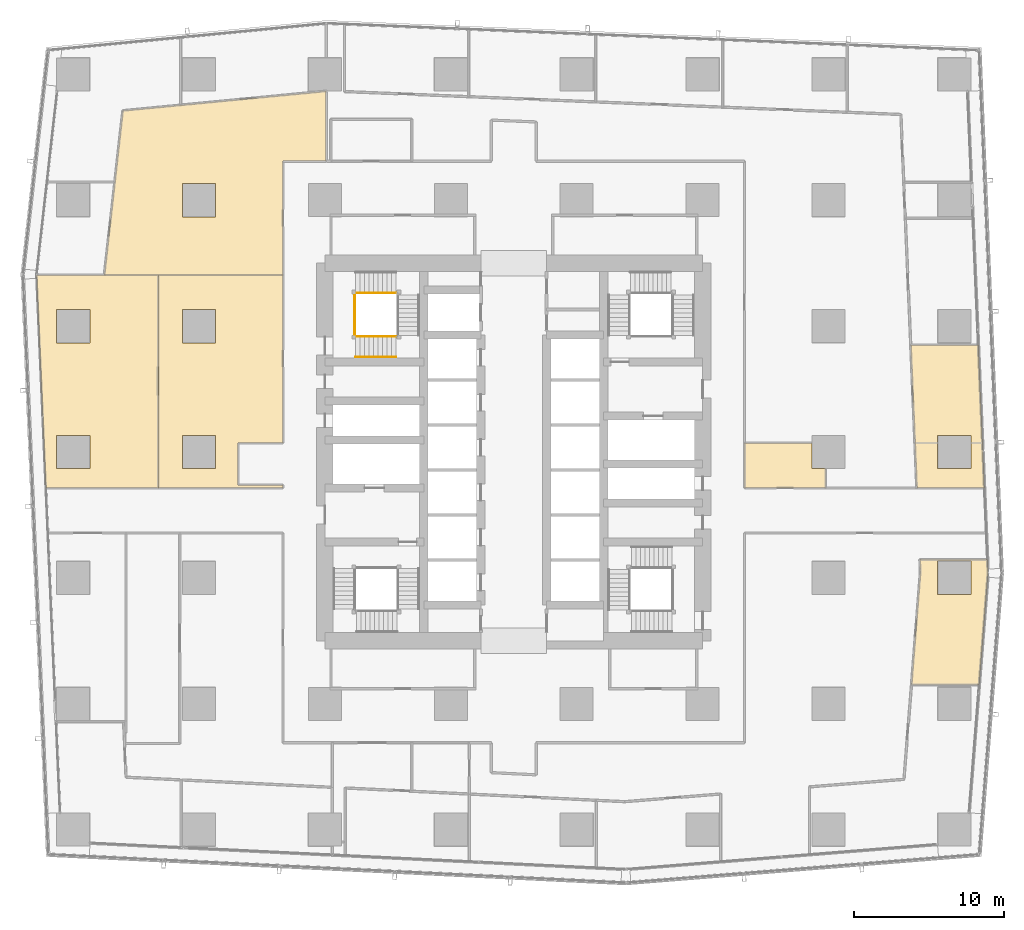
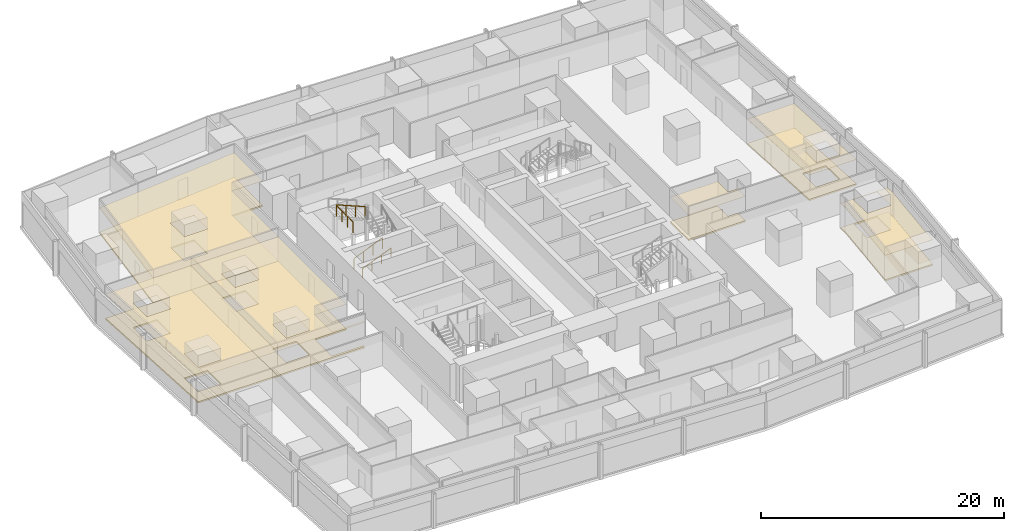
# One storey, part 41 of 45: 12 coverings, 4 railings.
"""IFC4 building model written with IfcOpenShell, lengths in metres."""

from ifc_helpers import new_model, si_unit, direction, frame, origin, origin_2d, place, context, subcontext, project, spatial, polyline, circle, outline, extrude, material, layer, layer_set, type_object, element, save


model = new_model("IFC4")

# Units and contexts
model_context = context("Model", 3, precision=1e-05, world=origin(), true_north=direction((0.0, 1.0)))
body_context = subcontext(model_context, "Body", "Model", "MODEL_VIEW")
ifc_project = project(units=[si_unit("LENGTHUNIT", "METRE"), si_unit("AREAUNIT", "SQUARE_METRE"), si_unit("VOLUMEUNIT", "CUBIC_METRE"), si_unit("PLANEANGLEUNIT", "RADIAN"), si_unit("MASSUNIT", "GRAM", prefix="KILO")], contexts=[model_context])

# Site, building, storey
site_placement = place(None, origin())
site = spatial("IfcSite", under=ifc_project, at=site_placement, CompositionType="ELEMENT")
building_placement = place(site_placement, origin())
building = spatial("IfcBuilding", under=site, at=building_placement, Name="Rekha Terrace Tower", CompositionType="ELEMENT")
storey_placement = place(building_placement, frame((0.0, 0.0, 36.64990234375)))
storey = spatial("IfcBuildingStorey", under=building, at=storey_placement, Name="L08", CompositionType="ELEMENT", Elevation=36.64990234375)

# Coverings
ifc_material_1 = material(Name="Mineral fibre tile in exposed grid", Category="finish")
ifc_layer_1 = layer(ifc_material_1, 0.02001953125)
ifc_layer_set_1 = layer_set([ifc_layer_1], Name="Mineral fibre tile in exposed grid")
covering_type_1 = type_object("IfcCoveringType", Name="CL1 600x1200 office grid ceiling", PredefinedType="CEILING", material=ifc_layer_set_1)
covering_1_placement = place(storey_placement, frame((0.0, 0.0, 2.580078125)))
element("IfcCovering", 1, at=covering_1_placement, inside=storey, type_object=covering_type_1, Name="Ceiling L08-05", PredefinedType="CEILING", context=body_context, shape_type="SweptSolid", body=[
    extrude(outline(polyline([(64.929931640625, 25.60107421875), (64.333984375, 18.080078125), (68.847900390625, 18.080078125), (69.43798828125, 25.51904296875), (69.39892578125, 26.419921875), (64.89501953125, 26.419921875), (64.929931640625, 25.60107421875)]), holes=[polyline([(68.31494140625, 24.0849609375), (66.0849609375, 24.0849609375), (66.0849609375, 26.31494140625), (68.31494140625, 26.31494140625), (68.31494140625, 24.0849609375)])]), origin(), (0.0, 0.0, 1.0), 0.02001953125),
])
covering_2_placement = place(storey_placement, frame((0.0, 0.0, 2.580078125)))
element("IfcCovering", 2, at=covering_2_placement, inside=storey, type_object=covering_type_1, Name="Ceiling L08-09", PredefinedType="CEILING", context=body_context, shape_type="SweptSolid", body=[
    extrude(outline(polyline([(53.199951171875, 31.199951171875), (58.60009765625, 31.199951171875), (58.60009765625, 32.485107421875), (57.68505859375, 32.485107421875), (57.68505859375, 34.199951171875), (53.199951171875, 34.199951171875), (53.199951171875, 31.199951171875)])), origin(), (0.0, 0.0, 1.0), 0.02001953125),
])
covering_3_placement = place(storey_placement, frame((0.0, 0.0, 2.580078125)))
element("IfcCovering", 3, at=covering_3_placement, inside=storey, type_object=covering_type_1, Name="Ceiling L08-10", PredefinedType="CEILING", context=body_context, shape_type="SweptSolid", body=[
    extrude(outline(polyline([(69.06689453125, 34.201904296875), (68.7880859375, 40.735107421875), (64.283935546875, 40.735107421875), (64.56298828125, 34.199951171875), (64.69091796875, 31.199951171875), (69.195068359375, 31.199951171875), (69.06689453125, 34.201904296875)]), holes=[polyline([(68.31494140625, 32.485107421875), (66.0849609375, 32.485107421875), (66.0849609375, 34.715087890625), (68.31494140625, 34.715087890625), (68.31494140625, 32.485107421875)])]), origin(), (0.0, 0.0, 1.0), 0.02001953125),
])
covering_4_placement = place(storey_placement, frame((0.0, 0.0, 2.580078125)))
element("IfcCovering", 4, at=covering_4_placement, inside=storey, type_object=covering_type_1, Name="Ceiling L08-O4", PredefinedType="CEILING", context=body_context, shape_type="SweptSolid", body=[
    extrude(outline(polyline([(11.718994140625, 56.37109375), (11.18505859375, 51.617919921875), (10.488037109375, 45.412109375), (22.39990234375, 45.412109375), (22.39990234375, 53.0), (25.2900390625, 53.0), (25.2900390625, 57.676025390625), (15.572021484375, 56.741943359375), (15.572021484375, 56.740966796875), (11.718994140625, 56.37109375)]), holes=[polyline([(17.9150390625, 49.284912109375), (15.68505859375, 49.284912109375), (15.68505859375, 51.514892578125), (17.9150390625, 51.514892578125), (17.9150390625, 49.284912109375)])]), origin(), (0.0, 0.0, 1.0), 0.02001953125),
])
covering_5_placement = place(storey_placement, frame((0.0, 0.0, 2.580078125)))
element("IfcCovering", 5, at=covering_5_placement, inside=storey, type_object=covering_type_1, Name="Ceiling L08-21", PredefinedType="CEILING", context=body_context, shape_type="SweptSolid", body=[
    extrude(outline(polyline([(14.090087890625, 31.199951171875), (14.090087890625, 45.410888671875), (5.964111328125, 45.410888671875), (6.5849609375, 31.219970703125), (6.5859375, 31.199951171875), (14.090087890625, 31.199951171875)]), holes=[polyline([(9.514892578125, 32.485107421875), (7.284912109375, 32.485107421875), (7.284912109375, 34.715087890625), (9.514892578125, 34.715087890625), (9.514892578125, 32.485107421875)]), polyline([(9.514892578125, 40.885009765625), (7.284912109375, 40.885009765625), (7.284912109375, 43.114990234375), (9.514892578125, 43.114990234375), (9.514892578125, 40.885009765625)])]), origin(), (0.0, 0.0, 1.0), 0.02001953125),
])
covering_6_placement = place(storey_placement, frame((0.0, 0.0, 2.580078125)))
element("IfcCovering", 6, at=covering_6_placement, inside=storey, type_object=covering_type_1, Name="Ceiling L08-O5", PredefinedType="CEILING", context=body_context, shape_type="SweptSolid", body=[
    extrude(outline(polyline([(14.090087890625, 31.199951171875), (22.39990234375, 31.199951171875), (22.39990234375, 31.39990234375), (19.39990234375, 31.39990234375), (19.39990234375, 34.199951171875), (22.39990234375, 34.199951171875), (22.39990234375, 45.410888671875), (14.090087890625, 45.410888671875), (14.090087890625, 31.199951171875)]), holes=[polyline([(17.9150390625, 32.485107421875), (15.68505859375, 32.485107421875), (15.68505859375, 34.715087890625), (17.9150390625, 34.715087890625), (17.9150390625, 32.485107421875)]), polyline([(17.9150390625, 40.885009765625), (15.68505859375, 40.885009765625), (15.68505859375, 43.114990234375), (17.9150390625, 43.114990234375), (17.9150390625, 40.885009765625)])]), origin(), (0.0, 0.0, 1.0), 0.02001953125),
])

# Railings
ifc_material_2 = material(Name="Stainless steel balustrade", Category="steel")
railing_type_1 = type_object("IfcRailingType", Name="GR1 1100 stair guard", PredefinedType="GUARDRAIL", material=ifc_material_2)
railing_1_placement = place(storey_placement, frame((27.25, 41.31494140625, 0.125)))
element("IfcRailing", 7, at=railing_1_placement, inside=storey, type_object=railing_type_1, Name="Guard ST4 L08 flight 1", PredefinedType="GUARDRAIL", context=body_context, shape_type="SweptSolid", body=[
    extrude(circle(Radius=0.02392578125, at=origin_2d()), frame((0.0, 0.0, 1.076171875), z_axis=(0.923074453586, 0.0, 0.384621311341), x_axis=(0.0, 1.0, 0.0)), (0.0, 0.0, 1.0), 2.925048828125),
    extrude(circle(Radius=0.02099609375, at=origin_2d()), origin(), (0.0, 0.0, 1.0), 1.052001953125),
    extrude(circle(Radius=0.02099609375, at=origin_2d()), frame((0.89990234375, 0.0, 0.375)), (0.0, 0.0, 1.0), 1.052001953125),
    extrude(circle(Radius=0.02099609375, at=origin_2d()), frame((1.800048828125, 0.0, 0.75)), (0.0, 0.0, 1.0), 1.052001953125),
    extrude(circle(Radius=0.02099609375, at=origin_2d()), frame((2.699951171875, 0.0, 1.125)), (0.0, 0.0, 1.0), 1.052001953125),
])
railing_2_placement = place(storey_placement, frame((29.949951171875, 44.2099609375, 2.625)))
element("IfcRailing", 8, at=railing_2_placement, inside=storey, type_object=railing_type_1, Name="Guard ST4 L08 flight 3", PredefinedType="GUARDRAIL", context=body_context, shape_type="SweptSolid", body=[
    extrude(circle(Radius=0.02392578125, at=origin_2d()), frame((0.0, 0.0, 1.076171875), z_axis=(-0.923074453586, 0.0, 0.384621311341), x_axis=(0.0, -1.0, 0.0)), (0.0, 0.0, 1.0), 2.925048828125),
    extrude(circle(Radius=0.02099609375, at=origin_2d()), origin(), (0.0, 0.0, 1.0), 1.052001953125),
    extrude(circle(Radius=0.02099609375, at=origin_2d()), frame((-0.89990234375, 0.0, 0.375)), (0.0, 0.0, 1.0), 1.052001953125),
    extrude(circle(Radius=0.02099609375, at=origin_2d()), frame((-1.800048828125, 0.0, 0.75)), (0.0, 0.0, 1.0), 1.052001953125),
    extrude(circle(Radius=0.02099609375, at=origin_2d()), frame((-2.699951171875, 0.0, 1.125)), (0.0, 0.0, 1.0), 1.052001953125),
])
railing_3_placement = place(storey_placement, frame((27.18994140625, 41.375, 3.75)))
element("IfcRailing", 9, at=railing_3_placement, inside=storey, type_object=railing_type_1, Name="Guard ST4 L08 landing 4", PredefinedType="GUARDRAIL", context=body_context, shape_type="SweptSolid", body=[
    extrude(circle(Radius=0.02392578125, at=origin_2d()), frame((0.0, 0.0, 1.076171875), z_axis=(0.0, 1.0, 0.0), x_axis=(-1.0, 0.0, 0.0)), (0.0, 0.0, 1.0), 2.77490234375),
    extrude(circle(Radius=0.02099609375, at=origin_2d()), origin(), (0.0, 0.0, 1.0), 1.052001953125),
    extrude(circle(Radius=0.02099609375, at=origin_2d()), frame((0.0, 0.925048828125, 0.0)), (0.0, 0.0, 1.0), 1.052001953125),
    extrude(circle(Radius=0.02099609375, at=origin_2d()), frame((0.0, 1.849853515625, 0.0)), (0.0, 0.0, 1.0), 1.052001953125),
    extrude(circle(Radius=0.02099609375, at=origin_2d()), frame((0.0, 2.77490234375, 0.0)), (0.0, 0.0, 1.0), 1.052001953125),
])
ifc_material_3 = material(Name="Stainless steel tube", Category="steel")
railing_type_2 = type_object("IfcRailingType", Name="HR1 900 stair handrail", PredefinedType="HANDRAIL", material=ifc_material_3)
railing_4_placement = place(storey_placement, frame((27.25, 39.93505859375, 0.125)))
element("IfcRailing", 10, at=railing_4_placement, inside=storey, type_object=railing_type_2, Name="Handrail ST4 L08 flight 1", PredefinedType="HANDRAIL", context=body_context, shape_type="SweptSolid", body=[
    extrude(circle(Radius=0.02392578125, at=origin_2d()), frame((0.0, 0.0, 0.8759765625), z_axis=(0.923074453586, 0.0, 0.384621311341), x_axis=(0.0, 1.0, 0.0)), (0.0, 0.0, 1.0), 2.925048828125),
    extrude(circle(Radius=0.02099609375, at=origin_2d()), origin(), (0.0, 0.0, 1.0), 0.851806640625),
    extrude(circle(Radius=0.02099609375, at=origin_2d()), frame((0.89990234375, 0.0, 0.375)), (0.0, 0.0, 1.0), 0.851806640625),
    extrude(circle(Radius=0.02099609375, at=origin_2d()), frame((1.800048828125, 0.0, 0.75)), (0.0, 0.0, 1.0), 0.851806640625),
    extrude(circle(Radius=0.02099609375, at=origin_2d()), frame((2.699951171875, 0.0, 1.125)), (0.0, 0.0, 1.0), 0.851806640625),
])

# Coverings
ifc_material_4 = material(Name="Calcium sulphate panels on steel pedestals", Category="steel")
ifc_layer_2 = layer(ifc_material_4, 0.14990234375)
ifc_layer_set_2 = layer_set([ifc_layer_2], Name="Calcium sulphate panels on steel pedestals")
covering_type_2 = type_object("IfcCoveringType", Name="RF1 150 raised access floor", PredefinedType="FLOORING", material=ifc_layer_set_2)
covering_7_placement = place(storey_placement, origin())
element("IfcCovering", 11, at=covering_7_placement, inside=storey, type_object=covering_type_2, Name="Raised floor L08-05", PredefinedType="FLOORING", context=body_context, shape_type="SweptSolid", body=[
    extrude(outline(polyline([(64.929931640625, 25.60107421875), (64.333984375, 18.080078125), (68.847900390625, 18.080078125), (69.43798828125, 25.51904296875), (69.39892578125, 26.419921875), (64.89501953125, 26.419921875), (64.929931640625, 25.60107421875)]), holes=[polyline([(68.31494140625, 24.0849609375), (66.0849609375, 24.0849609375), (66.0849609375, 26.31494140625), (68.31494140625, 26.31494140625), (68.31494140625, 24.0849609375)])]), origin(), (0.0, 0.0, 1.0), 0.150146484375),
])
covering_8_placement = place(storey_placement, origin())
element("IfcCovering", 12, at=covering_8_placement, inside=storey, type_object=covering_type_2, Name="Raised floor L08-09", PredefinedType="FLOORING", context=body_context, shape_type="SweptSolid", body=[
    extrude(outline(polyline([(53.199951171875, 31.199951171875), (58.60009765625, 31.199951171875), (58.60009765625, 32.485107421875), (57.68505859375, 32.485107421875), (57.68505859375, 34.199951171875), (53.199951171875, 34.199951171875), (53.199951171875, 31.199951171875)])), origin(), (0.0, 0.0, 1.0), 0.150146484375),
])
covering_9_placement = place(storey_placement, origin())
element("IfcCovering", 13, at=covering_9_placement, inside=storey, type_object=covering_type_2, Name="Raised floor L08-10", PredefinedType="FLOORING", context=body_context, shape_type="SweptSolid", body=[
    extrude(outline(polyline([(69.06689453125, 34.201904296875), (68.7880859375, 40.735107421875), (64.283935546875, 40.735107421875), (64.56298828125, 34.199951171875), (64.69091796875, 31.199951171875), (69.195068359375, 31.199951171875), (69.06689453125, 34.201904296875)]), holes=[polyline([(68.31494140625, 32.485107421875), (66.0849609375, 32.485107421875), (66.0849609375, 34.715087890625), (68.31494140625, 34.715087890625), (68.31494140625, 32.485107421875)])]), origin(), (0.0, 0.0, 1.0), 0.150146484375),
])
covering_10_placement = place(storey_placement, origin())
element("IfcCovering", 14, at=covering_10_placement, inside=storey, type_object=covering_type_2, Name="Raised floor L08-O4", PredefinedType="FLOORING", context=body_context, shape_type="SweptSolid", body=[
    extrude(outline(polyline([(11.718994140625, 56.37109375), (11.18505859375, 51.617919921875), (10.488037109375, 45.412109375), (22.39990234375, 45.412109375), (22.39990234375, 53.0), (25.2900390625, 53.0), (25.2900390625, 57.676025390625), (15.572021484375, 56.741943359375), (15.572021484375, 56.740966796875), (11.718994140625, 56.37109375)]), holes=[polyline([(17.9150390625, 49.284912109375), (15.68505859375, 49.284912109375), (15.68505859375, 51.514892578125), (17.9150390625, 51.514892578125), (17.9150390625, 49.284912109375)])]), origin(), (0.0, 0.0, 1.0), 0.150146484375),
])
covering_11_placement = place(storey_placement, origin())
element("IfcCovering", 15, at=covering_11_placement, inside=storey, type_object=covering_type_2, Name="Raised floor L08-21", PredefinedType="FLOORING", context=body_context, shape_type="SweptSolid", body=[
    extrude(outline(polyline([(14.090087890625, 31.199951171875), (14.090087890625, 45.410888671875), (5.964111328125, 45.410888671875), (6.5849609375, 31.219970703125), (6.5859375, 31.199951171875), (14.090087890625, 31.199951171875)]), holes=[polyline([(9.514892578125, 32.485107421875), (7.284912109375, 32.485107421875), (7.284912109375, 34.715087890625), (9.514892578125, 34.715087890625), (9.514892578125, 32.485107421875)]), polyline([(9.514892578125, 40.885009765625), (7.284912109375, 40.885009765625), (7.284912109375, 43.114990234375), (9.514892578125, 43.114990234375), (9.514892578125, 40.885009765625)])]), origin(), (0.0, 0.0, 1.0), 0.150146484375),
])
covering_12_placement = place(storey_placement, origin())
element("IfcCovering", 16, at=covering_12_placement, inside=storey, type_object=covering_type_2, Name="Raised floor L08-O5", PredefinedType="FLOORING", context=body_context, shape_type="SweptSolid", body=[
    extrude(outline(polyline([(14.090087890625, 31.199951171875), (22.39990234375, 31.199951171875), (22.39990234375, 31.39990234375), (19.39990234375, 31.39990234375), (19.39990234375, 34.199951171875), (22.39990234375, 34.199951171875), (22.39990234375, 45.410888671875), (14.090087890625, 45.410888671875), (14.090087890625, 31.199951171875)]), holes=[polyline([(17.9150390625, 32.485107421875), (15.68505859375, 32.485107421875), (15.68505859375, 34.715087890625), (17.9150390625, 34.715087890625), (17.9150390625, 32.485107421875)]), polyline([(17.9150390625, 40.885009765625), (15.68505859375, 40.885009765625), (15.68505859375, 43.114990234375), (17.9150390625, 43.114990234375), (17.9150390625, 40.885009765625)])]), origin(), (0.0, 0.0, 1.0), 0.150146484375),
])

save(model, "model.ifc")
